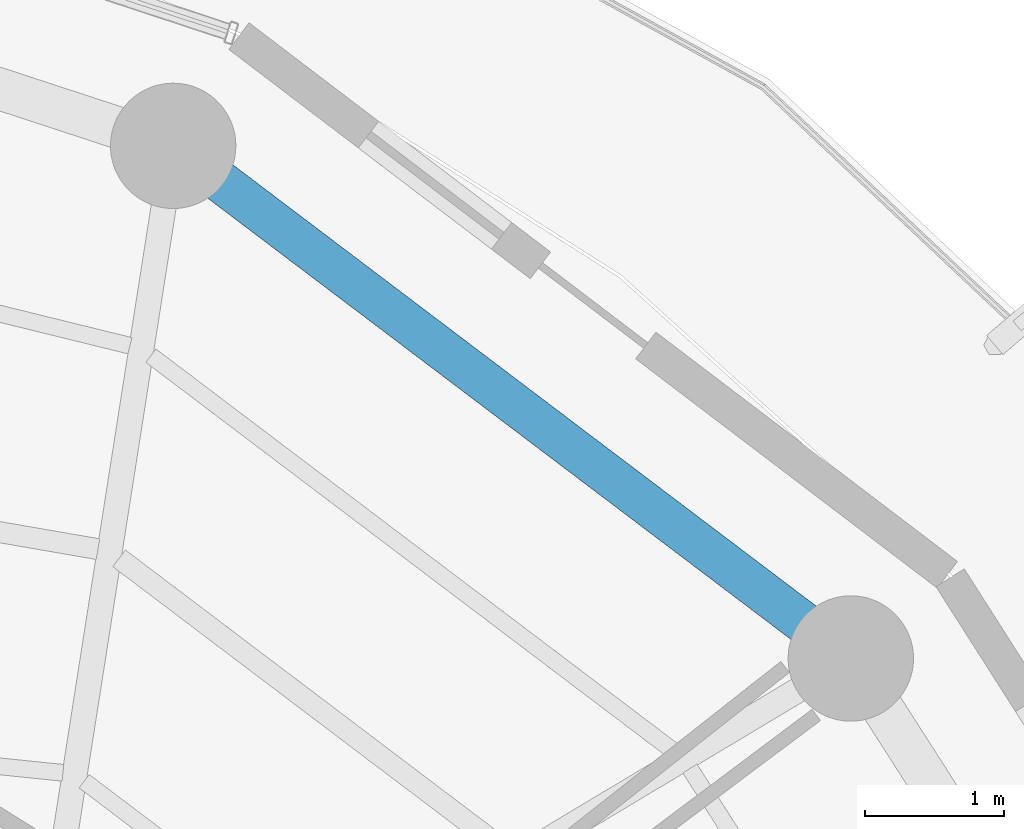
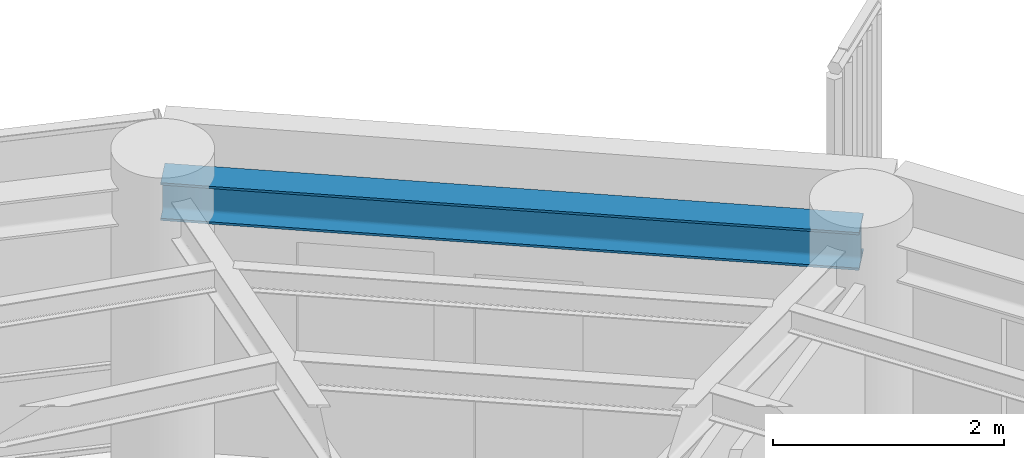
# One storey, part 12 of 23: 1 beam.
"""IFC4 building model written with IfcOpenShell, lengths in metres."""

import ifcopenshell
import ifcopenshell.guid

model = None  # the IFC model being written
_history = None  # IfcOwnerHistory: only IFC2X3 demands one
_inside = {}  # id of a spatial element -> (the spatial element, [elements in it])
_under = {}  # id of a project, library or spatial element -> (it, [spatial elements below it])
_declared = {}  # id of a project -> (the project, [libraries it declares])
_typed = {}  # id of a type object -> (the type object, [elements of that type])
_made_of = {}  # id of a material, layer set ... -> (it, [elements and type objects made of it])


def new_model(schema):
    """Start an empty IFC model of exactly this schema.

    Asked for "IFC4X3", IfcOpenShell would pick the latest addendum, in which some entities
    have other attributes; the version numbers below select the first issue.
    IFC2X3 requires an IfcOwnerHistory on every rooted entity: one is made here for all.
    """
    global model, _history
    if schema == "IFC4X3":
        model = ifcopenshell.file(schema_version=(4, 3, 0, 0))
    else:
        model = ifcopenshell.file(schema=schema)
    _inside.clear()
    _under.clear()
    _declared.clear()
    _typed.clear()
    _made_of.clear()
    _history = None
    if model.schema == "IFC2X3":
        org = make("IfcOrganization", Name="unknown")
        user = make(
            "IfcPersonAndOrganization",
            ThePerson=make("IfcPerson", FamilyName="unknown"),
            TheOrganization=org,
        )
        app = make(
            "IfcApplication",
            ApplicationDeveloper=org,
            Version="unknown",
            ApplicationFullName="unknown",
            ApplicationIdentifier="unknown",
        )
        _history = make(
            "IfcOwnerHistory",
            OwningUser=user,
            OwningApplication=app,
            ChangeAction="ADDED",
            CreationDate=0,
        )
    return model


def make(cls, **values):
    """One entity of the class cls with the attributes given. An attribute that is None is left unset."""
    return model.create_entity(
        cls, **{name: value for name, value in values.items() if value is not None}
    )


def rooted(cls, **values):
    """An entity with a GlobalId (a new one), such as an element, a storey or a relation."""
    return make(cls, GlobalId=ifcopenshell.guid.new(), OwnerHistory=_history, **values)


def si_unit(unit_type, name, prefix=None):
    """IfcSIUnit, for example si_unit("LENGTHUNIT", "METRE", prefix="MILLI")."""
    return make("IfcSIUnit", UnitType=unit_type, Prefix=prefix, Name=name)


def assignment(units):
    """IfcUnitAssignment: the units of a project."""
    return None if units is None else make("IfcUnitAssignment", Units=units)


def point(xyz):
    """IfcCartesianPoint."""
    return None if xyz is None else make("IfcCartesianPoint", Coordinates=xyz)


def direction(xyz):
    """IfcDirection."""
    return None if xyz is None else make("IfcDirection", DirectionRatios=xyz)


def frame(location, z_axis=None, x_axis=None):
    """IfcAxis2Placement3D, a coordinate frame: its origin and axes. An axis left out is left unset."""
    return make(
        "IfcAxis2Placement3D",
        Location=point(location),
        Axis=direction(z_axis),
        RefDirection=direction(x_axis),
    )


def frame_2d(location, x_axis=None):
    """IfcAxis2Placement2D, a coordinate frame in the plane: its origin and x axis."""
    return make(
        "IfcAxis2Placement2D", Location=point(location), RefDirection=direction(x_axis)
    )


def origin():
    """The frame at (0, 0, 0) with its axes left unset."""
    return frame((0.0, 0.0, 0.0))


def origin_2d():
    """The frame at (0, 0) in the plane with its x axis left unset."""
    return frame_2d((0.0, 0.0))


def place(relative_to, where):
    """IfcLocalPlacement: puts the frame where relative to a parent placement (None: the world)."""
    return make(
        "IfcLocalPlacement", PlacementRelTo=relative_to, RelativePlacement=where
    )


def context(
    kind, dimensions, precision=None, world=None, true_north=None, identifier=None
):
    """IfcGeometricRepresentationContext, for example the 3D "Model" context."""
    return make(
        "IfcGeometricRepresentationContext",
        ContextIdentifier=identifier,
        ContextType=kind,
        CoordinateSpaceDimension=dimensions,
        Precision=precision,
        WorldCoordinateSystem=world,
        TrueNorth=true_north,
    )


def subcontext(parent, identifier, kind, view, scale=None):
    """IfcGeometricRepresentationSubContext, for example "Body" below "Model"."""
    return make(
        "IfcGeometricRepresentationSubContext",
        ContextIdentifier=identifier,
        ContextType=kind,
        ParentContext=parent,
        TargetScale=scale,
        TargetView=view,
    )


def project(units=None, contexts=None):
    """IfcProject with its units and contexts."""
    return rooted(
        "IfcProject",
        Name="project",
        RepresentationContexts=contexts,
        UnitsInContext=assignment(units),
    )


def spatial(cls, under=None, at=None, **own):
    """A site, building, storey or space (cls), placed at a placement, below another one or the project."""
    s = rooted(cls, ObjectPlacement=at, **own)
    if under is not None:
        _under.setdefault(under.id(), (under, []))[1].append(s)
    return s


def profile(cls, at=None, kind="AREA", **sizes):
    """A parametric profile (cls). Its sizes go by their IFC names, for example OverallWidth=200.0."""
    return make(cls, ProfileType=kind, Position=at, **sizes)


def i_section(**sizes):
    """IfcIShapeProfileDef."""
    return profile("IfcIShapeProfileDef", **sizes)


def extrude(swept, where, along, depth):
    """IfcExtrudedAreaSolid: the profile swept, set in the frame where, extruded along a direction by depth."""
    return make(
        "IfcExtrudedAreaSolid",
        SweptArea=swept,
        Position=where,
        ExtrudedDirection=direction(along),
        Depth=depth,
    )


def shape(context_of_items, identifier, shape_type, items):
    """IfcShapeRepresentation: the items that make up one representation, for example the "Body"."""
    return make(
        "IfcShapeRepresentation",
        ContextOfItems=context_of_items,
        RepresentationIdentifier=identifier,
        RepresentationType=shape_type,
        Items=items,
    )


def material(Name=None, Category=None):
    """IfcMaterial."""
    return make("IfcMaterial", Name=Name, Category=Category)


def material_profile(
    of_material, cross_section, Name=None, Category=None, Priority=None
):
    """IfcMaterialProfile: a cross section and its material."""
    return make(
        "IfcMaterialProfile",
        Name=Name,
        Material=of_material,
        Profile=cross_section,
        Priority=Priority,
        Category=Category,
    )


def profile_set(profiles, Name=None, composite=None):
    """IfcMaterialProfileSet."""
    return make(
        "IfcMaterialProfileSet",
        Name=Name,
        MaterialProfiles=profiles,
        CompositeProfile=composite,
    )


def made_of(thing, what):
    """Note that an element or type object is made of a material, layer set ...; save() writes the relation."""
    if what is not None:
        _made_of.setdefault(what.id(), (what, []))[1].append(thing)
    return thing


def type_object(cls, material=None, **own):
    """A type object (cls), such as IfcWallType, which elements share."""
    return made_of(rooted(cls, **own), material)


def element(
    cls,
    number,
    at=None,
    inside=None,
    cuts=None,
    type_object=None,
    material=None,
    context=None,
    identifier="Body",
    shape_type=None,
    held_by="IfcProductDefinitionShape",
    body=None,
    shapes=None,
    **own,
):
    """One element of the class cls, such as IfcWall. Its Tag is "e" and its number.

    at: its placement. inside: the storey or other place that contains it. cuts: it is an
    opening in that element (IfcRelVoidsElement). A single representation is given by context,
    identifier, shape_type and body (its items); several are given by shapes. held_by: the class
    of the entity that holds the representations. save() writes the other relations.
    """
    e = rooted(cls, Tag="e%d" % number, ObjectPlacement=at, **own)
    if body is not None:
        shapes = [shape(context, identifier, shape_type, body)]
    if shapes is not None:
        e.Representation = make(held_by, Representations=shapes)
    if inside is not None:
        _inside.setdefault(inside.id(), (inside, []))[1].append(e)
    if cuts is not None:
        rooted(
            "IfcRelVoidsElement", RelatingBuildingElement=cuts, RelatedOpeningElement=e
        )
    if type_object is not None:
        _typed.setdefault(type_object.id(), (type_object, []))[1].append(e)
    return made_of(e, material)


def aggregate(whole, parts):
    """IfcRelAggregates: a whole, such as a stair, and the parts it consists of."""
    return rooted("IfcRelAggregates", RelatingObject=whole, RelatedObjects=parts)


def save(model, path):
    """Write the relations noted so far, then the file.

    IfcRelAggregates (storeys below a building ...), IfcRelContainedInSpatialStructure (elements
    in a storey), IfcRelDefinesByType, IfcRelAssociatesMaterial and IfcRelDeclares: one each for
    every whole, place, type object, material and project.
    """
    for whole, parts in _under.values():
        aggregate(whole, parts)
    for where, things in _inside.values():
        rooted(
            "IfcRelContainedInSpatialStructure",
            RelatedElements=things,
            RelatingStructure=where,
        )
    for kind, things in _typed.values():
        rooted("IfcRelDefinesByType", RelatedObjects=things, RelatingType=kind)
    for what, things in _made_of.values():
        rooted("IfcRelAssociatesMaterial", RelatedObjects=things, RelatingMaterial=what)
    for by, libraries in _declared.values():
        rooted("IfcRelDeclares", RelatingContext=by, RelatedDefinitions=libraries)
    model.write(path)


model = new_model("IFC4")

# Units and contexts
model_context = context("Model", 3, precision=1e-05, world=origin(), true_north=direction((0.0, 1.0)))
body_context = subcontext(model_context, "Body", "Model", "MODEL_VIEW")
ifc_project = project(units=[si_unit("LENGTHUNIT", "METRE"), si_unit("AREAUNIT", "SQUARE_METRE"), si_unit("VOLUMEUNIT", "CUBIC_METRE"), si_unit("PLANEANGLEUNIT", "RADIAN"), si_unit("MASSUNIT", "GRAM", prefix="KILO")], contexts=[model_context])

# Site, building, storey
site_placement = place(None, origin())
site = spatial("IfcSite", under=ifc_project, at=site_placement, CompositionType="ELEMENT")
building_placement = place(site_placement, origin())
building = spatial("IfcBuilding", under=site, at=building_placement, Name="Kelanora Arch Commons", CompositionType="ELEMENT")
storey_placement = place(building_placement, frame((0.0, 0.0, 286.199951171875)))
storey = spatial("IfcBuildingStorey", under=building, at=storey_placement, Name="L73", CompositionType="ELEMENT", Elevation=286.199951171875)

# Beam
ifc_material = material(Name="Steel S355", Category="steel")
ifc_material_profile = material_profile(ifc_material, i_section(OverallWidth=0.300048828125, OverallDepth=0.39990234375, WebThickness=0.013427734375, FlangeThickness=0.02392578125, FilletRadius=0.027099609375, at=origin_2d()), Name="HEB400")
ifc_profile_set = profile_set([ifc_material_profile], Name="Steel S355")
beam_type = type_object("IfcBeamType", Name="BM-SPN-Z4", PredefinedType="SPANDREL", material=ifc_profile_set)
beam_placement = place(storey_placement, frame((88.00341796875, 68.593017578125, 3.2900390625), z_axis=(-0.797509460967, 0.603306439273, 0.0), x_axis=(-0.603306439273, -0.797509460967, 0.0)))
element("IfcBeam", 1, at=beam_placement, inside=storey, type_object=beam_type, Name="Perimeter Spandrel Beam BS-04 L73", PredefinedType="SPANDREL", context=body_context, shape_type="SweptSolid", body=[
    extrude(i_section(OverallWidth=0.300048828125, OverallDepth=0.39990234375, WebThickness=0.013427734375, FlangeThickness=0.02392578125, FilletRadius=0.027099609375, at=origin_2d()), origin(), (0.0, 0.0, 1.0), 6.098388671875),
])

save(model, "model.ifc")
